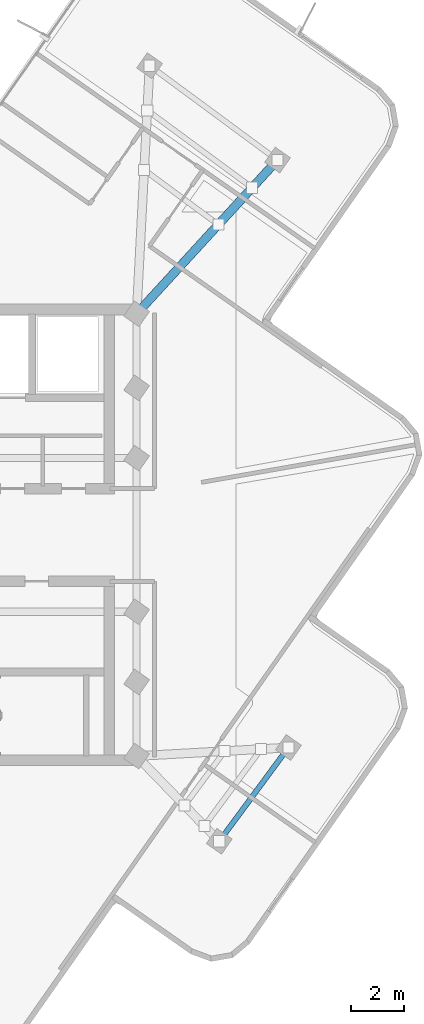
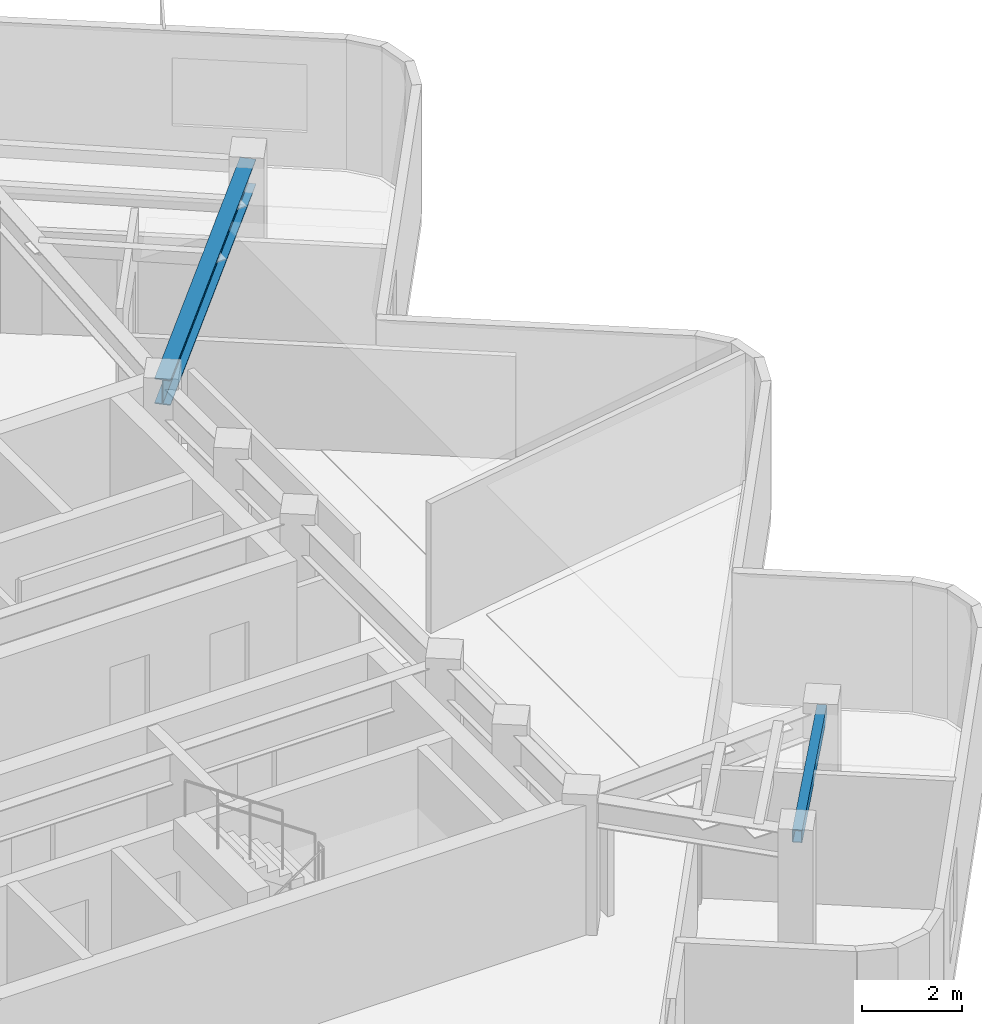
# One storey, part 3 of 9: 2 beams.
"""IFC4 building model written with IfcOpenShell, lengths in metres."""

from ifc_helpers import new_model, si_unit, direction, frame, origin, origin_2d, place, context, subcontext, project, spatial, hollow_rectangle, i_section, extrude, material, material_profile, profile_set, type_object, element, save


model = new_model("IFC4")

# Units and contexts
model_context = context("Model", 3, precision=1e-05, world=origin(), true_north=direction((0.0, 1.0)))
body_context = subcontext(model_context, "Body", "Model", "MODEL_VIEW")
ifc_project = project(units=[si_unit("LENGTHUNIT", "METRE"), si_unit("AREAUNIT", "SQUARE_METRE"), si_unit("VOLUMEUNIT", "CUBIC_METRE"), si_unit("PLANEANGLEUNIT", "RADIAN"), si_unit("MASSUNIT", "GRAM", prefix="KILO")], contexts=[model_context])

# Site, building, storey
site_placement = place(None, origin())
site = spatial("IfcSite", under=ifc_project, at=site_placement, CompositionType="ELEMENT")
building_placement = place(site_placement, origin())
building = spatial("IfcBuilding", under=site, at=building_placement, Name="Solmarez Civic Tower", CompositionType="ELEMENT")
storey_placement = place(building_placement, frame((0.0, 0.0, 268.02001953125)))
storey = spatial("IfcBuildingStorey", under=building, at=storey_placement, Name="L72", CompositionType="ELEMENT", Elevation=268.02001953125)

# Beams
ifc_material = material(Name="Steel S355", Category="steel")
ifc_material_profile_1 = material_profile(ifc_material, hollow_rectangle(XDim=0.199951171875, YDim=0.300048828125, WallThickness=0.011962890625, at=origin_2d()), Name="HSS300X200X12")
ifc_profile_set_1 = profile_set([ifc_material_profile_1], Name="Steel S355")
beam_type_1 = type_object("IfcBeamType", Name="BM-JS-HSS300X200", PredefinedType="JOIST", material=ifc_profile_set_1)
beam_1_placement = place(storey_placement, frame((11.970947265625, -11.56591796875, 3.010009765625), z_axis=(0.593730834471, 0.804663716219, 0.0), x_axis=(-0.804663716219, 0.593730834471, 0.0)))
element("IfcBeam", 1, at=beam_1_placement, inside=storey, type_object=beam_type_1, Name="L72 Secondary Floor Joist BM-L72-SA-T1", PredefinedType="JOIST", context=body_context, shape_type="SweptSolid", body=[
    extrude(hollow_rectangle(XDim=0.199951171875, YDim=0.300048828125, WallThickness=0.011962890625, at=origin_2d()), origin(), (0.0, 0.0, 1.0), 4.3994140625),
])
ifc_material_profile_2 = material_profile(ifc_material, i_section(OverallWidth=0.327880859375, OverallDepth=0.6220703125, WebThickness=0.015380859375, FlangeThickness=0.0244140625, at=origin_2d()), Name="W24X131")
ifc_profile_set_2 = profile_set([ifc_material_profile_2], Name="Steel S355")
beam_type_2 = type_object("IfcBeamType", Name="BM-PR-W24X131", PredefinedType="BEAM", material=ifc_profile_set_2)
beam_2_placement = place(storey_placement, frame((8.85009765625, 8.35009765625, 2.848876953125), z_axis=(0.67574850583, 0.737132251953, 0.0), x_axis=(-0.737132251953, 0.67574850583, 0.0)))
element("IfcBeam", 2, at=beam_2_placement, inside=storey, type_object=beam_type_2, Name="L72 Primary Floor Beam BM-L72-EA-R1A", PredefinedType="BEAM", context=body_context, shape_type="SweptSolid", body=[
    extrude(i_section(OverallWidth=0.327880859375, OverallDepth=0.6220703125, WebThickness=0.015380859375, FlangeThickness=0.0244140625, at=origin_2d()), origin(), (0.0, 0.0, 1.0), 7.87109375),
])

save(model, "model.ifc")
